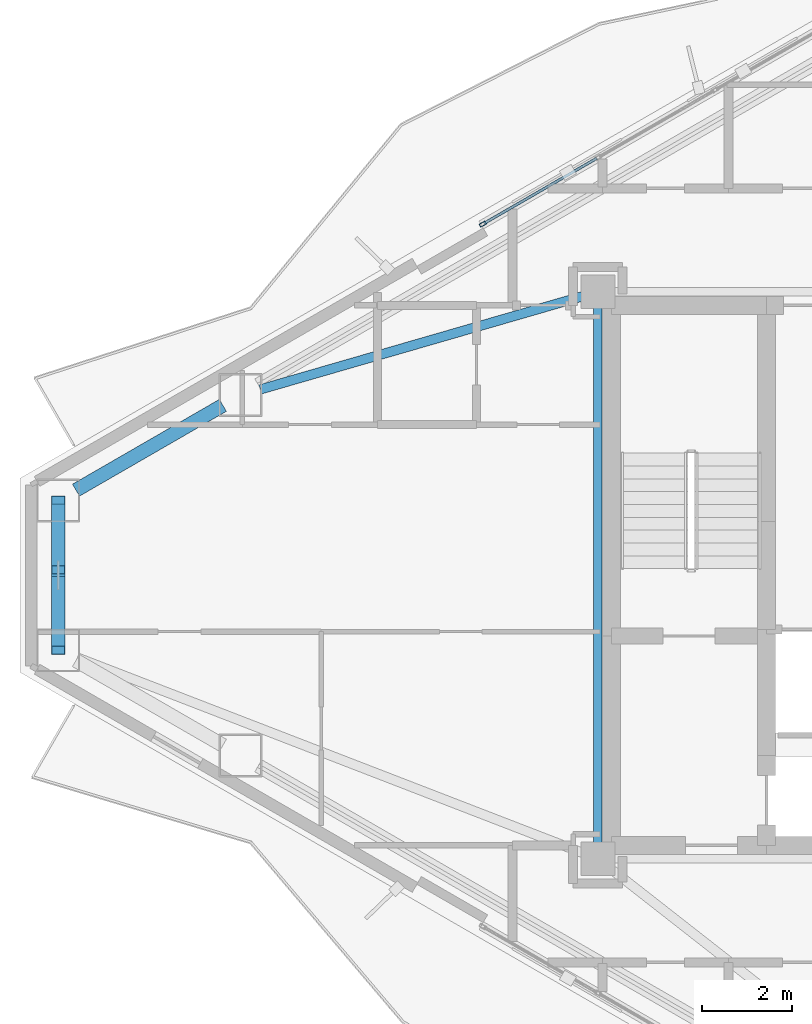
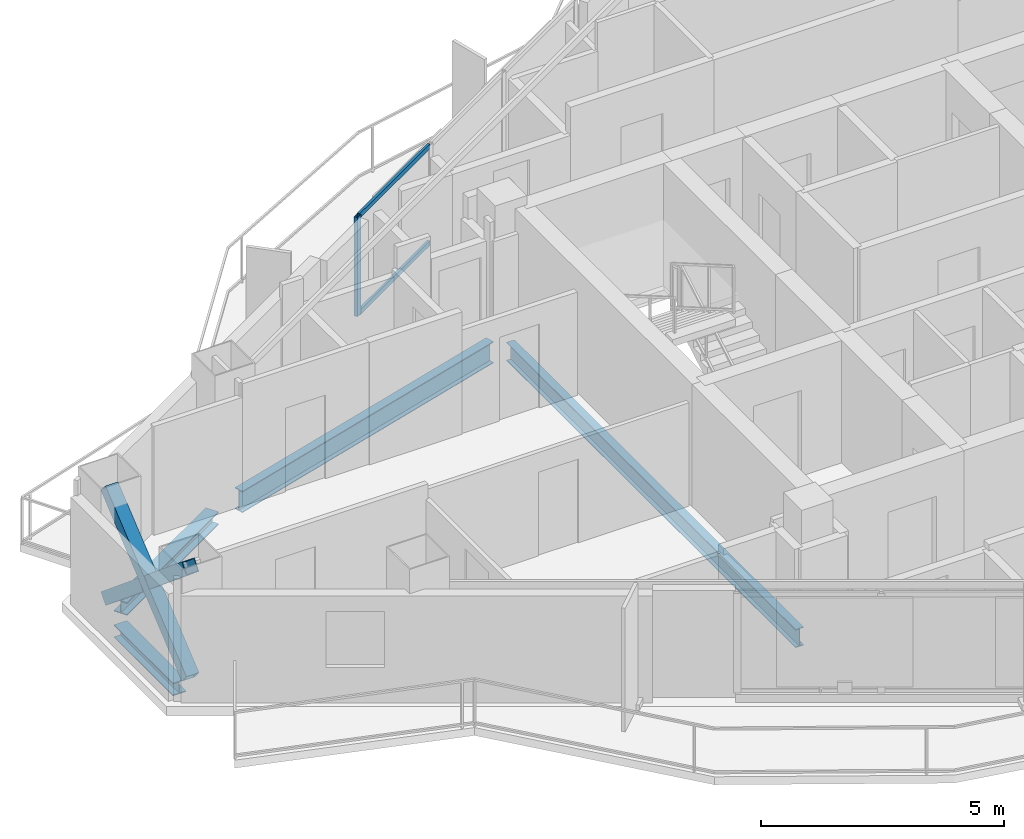
# One storey, part 7 of 22: 6 members, 4 beams, 1 element without a shape of its own.
"""IFC4 building model written with IfcOpenShell, lengths in metres."""

from ifc_helpers import new_model, si_unit, direction, frame, origin, origin_2d, place, context, subcontext, project, spatial, hollow_rectangle, i_section, extrude, material, layer, layer_set, material_profile, profile_set, type_object, element, aggregate, save


model = new_model("IFC4")

# Units and contexts
model_context = context("Model", 3, precision=1e-05, world=origin(), true_north=direction((0.0, 1.0)))
body_context = subcontext(model_context, "Body", "Model", "MODEL_VIEW")
ifc_project = project(units=[si_unit("LENGTHUNIT", "METRE"), si_unit("AREAUNIT", "SQUARE_METRE"), si_unit("VOLUMEUNIT", "CUBIC_METRE"), si_unit("PLANEANGLEUNIT", "RADIAN"), si_unit("MASSUNIT", "GRAM", prefix="KILO")], contexts=[model_context])

# Site, building, storey
site_placement = place(None, origin())
site = spatial("IfcSite", under=ifc_project, at=site_placement, CompositionType="ELEMENT")
building_placement = place(site_placement, origin())
building = spatial("IfcBuilding", under=site, at=building_placement, Name="Mersakhor Tower and Convention Hall", CompositionType="ELEMENT")
storey_placement = place(building_placement, frame((0.0, 0.0, 188.699951171875)))
storey = spatial("IfcBuildingStorey", under=building, at=storey_placement, Name="L52", CompositionType="ELEMENT", Elevation=188.699951171875)

# Beams
ifc_material_1 = material(Name="Steel S355", Category="steel")
ifc_material_profile_1 = material_profile(ifc_material_1, i_section(OverallWidth=0.19140625, OverallDepth=0.4599609375, WebThickness=0.010009765625, FlangeThickness=0.01611328125, at=origin_2d()), Name="UB 457x191x82")
ifc_profile_set_1 = profile_set([ifc_material_profile_1], Name="Steel S355")
beam_type_1 = type_object("IfcBeamType", Name="BM-FB-457", PredefinedType="BEAM", material=ifc_profile_set_1)
beam_1_placement = place(storey_placement, frame((21.89990234375, 20.804931640625, -0.4599609375), z_axis=(0.0, 1.0, 0.0), x_axis=(-1.0, 0.0, 0.0)))
element("IfcBeam", 1, at=beam_1_placement, inside=storey, type_object=beam_type_1, Name="L52 Core Ring Tie Beam CRB-1", PredefinedType="BEAM", context=body_context, shape_type="SweptSolid", body=[
    extrude(i_section(OverallWidth=0.19140625, OverallDepth=0.4599609375, WebThickness=0.010009765625, FlangeThickness=0.01611328125, at=origin_2d()), origin(), (0.0, 0.0, 1.0), 11.89013671875),
])
ifc_material_2 = material(Name="Steel S355", Category="steel")
ifc_material_profile_2 = material_profile(ifc_material_2, i_section(OverallWidth=0.2099609375, OverallDepth=0.53662109375, WebThickness=0.0107421875, FlangeThickness=0.017333984375, at=origin_2d()), Name="UB 533x210x101")
ifc_profile_set_2 = profile_set([ifc_material_profile_2], Name="Steel S355")
beam_type_2 = type_object("IfcBeamType", Name="BM-FB-533", PredefinedType="BEAM", material=ifc_profile_set_2)
beam_2_placement = place(storey_placement, frame((21.55908203125, 32.951416015625, -0.498291015625), z_axis=(-0.960669154125, -0.277695474059, 0.0), x_axis=(0.277695474059, -0.960669154125, 0.0)))
element("IfcBeam", 2, at=beam_2_placement, inside=storey, type_object=beam_type_2, Name="L52 Primary Floor Girder FG-1", PredefinedType="BEAM", context=body_context, shape_type="SweptSolid", body=[
    extrude(i_section(OverallWidth=0.2099609375, OverallDepth=0.53662109375, WebThickness=0.0107421875, FlangeThickness=0.017333984375, at=origin_2d()), origin(), (0.0, 0.0, 1.0), 7.455322265625),
])
ifc_material_3 = material(Name="Steel S355", Category="steel")
ifc_material_profile_3 = material_profile(ifc_material_3, i_section(OverallWidth=0.30908203125, OverallDepth=0.320556640625, WebThickness=0.013916015625, FlangeThickness=0.021728515625, at=origin_2d()), Name="UC 305x305x137")
ifc_profile_set_3 = profile_set([ifc_material_profile_3], Name="Steel S355")
beam_type_3 = type_object("IfcBeamType", Name="BM-SPD-UC305", PredefinedType="SPANDREL", material=ifc_profile_set_3)
beam_3_placement = place(storey_placement, frame((10.301513671875, 28.642822265625, -0.39013671875), z_axis=(0.866046450459, 0.499963544319, 0.0), x_axis=(-0.499963544319, 0.866046450459, 0.0)))
element("IfcBeam", 3, at=beam_3_placement, inside=storey, type_object=beam_type_3, Name="L52 Perimeter Spandrel Beam SPB-01", PredefinedType="SPANDREL", context=body_context, shape_type="SweptSolid", body=[
    extrude(i_section(OverallWidth=0.30908203125, OverallDepth=0.320556640625, WebThickness=0.013916015625, FlangeThickness=0.021728515625, at=origin_2d()), origin(), (0.0, 0.0, 1.0), 3.769287109375),
])
beam_4_placement = place(storey_placement, frame((9.907470703125, 25.539794921875, -0.39013671875), z_axis=(0.0, 1.0, 0.0), x_axis=(-1.0, 0.0, 0.0)))
element("IfcBeam", 4, at=beam_4_placement, inside=storey, type_object=beam_type_3, Name="L52 Perimeter Spandrel Beam SPB-12", PredefinedType="SPANDREL", context=body_context, shape_type="SweptSolid", body=[
    extrude(i_section(OverallWidth=0.30908203125, OverallDepth=0.320556640625, WebThickness=0.013916015625, FlangeThickness=0.021728515625, at=origin_2d()), origin(), (0.0, 0.0, 1.0), 2.42041015625),
])

# Curtain wall, members
ifc_material_4 = material(Name="Dark solar low-E aluminium curtain wall", Category="aluminium")
ifc_layer = layer(ifc_material_4, 0.169921875)
ifc_layer_set = layer_set([ifc_layer], Name="Dark solar low-E aluminium curtain wall")
curtain_wall_type = type_object("IfcCurtainWallType", Name="CW-SYS-02", PredefinedType="USERDEFINED", material=ifc_layer_set)
curtain_wall_placement = place(storey_placement, origin())
curtain_wall = element("IfcCurtainWall", 5, at=curtain_wall_placement, inside=storey, type_object=curtain_wall_type, Name="L52 Dark-Glass Curtain Wall F1-B2", ObjectType="CURTAIN WALL", PredefinedType="USERDEFINED")
ifc_material_5 = material(Name="Anodised aluminium EN AW-6063 T6", Category="aluminium")
ifc_material_profile_4 = material_profile(ifc_material_5, hollow_rectangle(XDim=0.074951171875, YDim=0.14990234375, WallThickness=0.00634765625, at=origin_2d()), Name="RHS 150x75x6.3")
ifc_profile_set_4 = profile_set([ifc_material_profile_4], Name="Anodised aluminium EN AW-6063 T6")
member_type_1 = type_object("IfcMemberType", Name="CWM-150x75", PredefinedType="MULLION", material=ifc_profile_set_4)
member_1_placement = place(storey_placement, frame((19.341796875, 34.554931640625, 0.199951171875), z_axis=(0.0, 0.0, 1.0), x_axis=(-0.500007824483, 0.86602088627, 0.0)))
member_1 = element("IfcMember", 6, at=member_1_placement, type_object=member_type_1, Name="CW-02 mullion 1", PredefinedType="MULLION", context=body_context, shape_type="SweptSolid", body=[
    extrude(hollow_rectangle(XDim=0.074951171875, YDim=0.14990234375, WallThickness=0.00634765625, at=origin_2d()), origin(), (0.0, 0.0, 1.0), 2.489990234375),
])
ifc_material_6 = material(Name="Anodised aluminium EN AW-6063 T6", Category="aluminium")
ifc_material_profile_5 = material_profile(ifc_material_6, hollow_rectangle(XDim=0.06005859375, YDim=0.1201171875, WallThickness=0.0048828125, at=origin_2d()), Name="RHS 120x60x5")
ifc_profile_set_5 = profile_set([ifc_material_profile_5], Name="Anodised aluminium EN AW-6063 T6")
member_type_2 = type_object("IfcMemberType", Name="CWT-120x60", PredefinedType="USERDEFINED", material=ifc_profile_set_5)
member_2_placement = place(storey_placement, frame((19.374267578125, 34.573486328125, 0.22998046875), z_axis=(0.86601237176, 0.50002257145, 0.0), x_axis=(-0.50002257145, 0.86601237176, 0.0)))
member_2 = element("IfcMember", 7, at=member_2_placement, type_object=member_type_2, Name="CW-02 transom 1.1", ObjectType="TRANSOM", PredefinedType="USERDEFINED", context=body_context, shape_type="SweptSolid", body=[
    extrude(hollow_rectangle(XDim=0.06005859375, YDim=0.1201171875, WallThickness=0.0048828125, at=origin_2d()), origin(), (0.0, 0.0, 1.0), 2.886962890625),
])
member_3_placement = place(storey_placement, frame((19.374267578125, 34.573486328125, 2.66015625), z_axis=(0.86601237176, 0.50002257145, 0.0), x_axis=(-0.50002257145, 0.86601237176, 0.0)))
member_3 = element("IfcMember", 8, at=member_3_placement, type_object=member_type_2, Name="CW-02 transom 1.2", ObjectType="TRANSOM", PredefinedType="USERDEFINED", context=body_context, shape_type="SweptSolid", body=[
    extrude(hollow_rectangle(XDim=0.06005859375, YDim=0.1201171875, WallThickness=0.0048828125, at=origin_2d()), origin(), (0.0, 0.0, 1.0), 2.886962890625),
])
aggregate(curtain_wall, [member_1, member_2, member_3])

# Members
ifc_material_7 = material(Name="Steel S355", Category="steel")
ifc_material_profile_6 = material_profile(ifc_material_7, hollow_rectangle(XDim=0.300048828125, YDim=0.300048828125, WallThickness=0.01611328125, at=origin_2d()), Name="SHS 300x300x16")
ifc_profile_set_6 = profile_set([ifc_material_profile_6], Name="Steel S355")
member_type_3 = type_object("IfcMemberType", Name="MB-BRC-SHS300", PredefinedType="BRACE", material=ifc_profile_set_6)
member_4_placement = place(storey_placement, frame((9.907470703125, 25.084716796875, 0.150146484375), z_axis=(0.0, 0.768839937868, 0.639441279508), x_axis=(-1.0, 0.0, 0.0)))
element("IfcMember", 9, at=member_4_placement, inside=storey, type_object=member_type_3, Name="L52 Chamfer Braced Frame Diagonal CB-3A", PredefinedType="BRACE", context=body_context, shape_type="SweptSolid", body=[
    extrude(hollow_rectangle(XDim=0.300048828125, YDim=0.300048828125, WallThickness=0.01611328125, at=origin_2d()), origin(), (0.0, 0.0, 1.0), 4.33203125),
])
member_5_placement = place(storey_placement, frame((9.907470703125, 28.415283203125, 0.150146484375), z_axis=(0.0, -0.768899389676, 0.639369790149), x_axis=(1.0, 0.0, 0.0)))
element("IfcMember", 10, at=member_5_placement, inside=storey, type_object=member_type_3, Name="L52 Chamfer Braced Frame Diagonal CB-3B Lower Half", PredefinedType="BRACE", context=body_context, shape_type="SweptSolid", body=[
    extrude(hollow_rectangle(XDim=0.300048828125, YDim=0.300048828125, WallThickness=0.01611328125, at=origin_2d()), origin(), (0.0, 0.0, 1.0), 2.00537109375),
])
member_6_placement = place(storey_placement, frame((9.907470703125, 26.626708984375, 1.6376953125), z_axis=(0.0, -0.768839543052, 0.63944175422), x_axis=(1.0, 0.0, 0.0)))
element("IfcMember", 11, at=member_6_placement, inside=storey, type_object=member_type_3, Name="L52 Chamfer Braced Frame Diagonal CB-3B Upper Half", PredefinedType="BRACE", context=body_context, shape_type="SweptSolid", body=[
    extrude(hollow_rectangle(XDim=0.300048828125, YDim=0.300048828125, WallThickness=0.01611328125, at=origin_2d()), origin(), (0.0, 0.0, 1.0), 2.005615234375),
])

save(model, "model.ifc")
